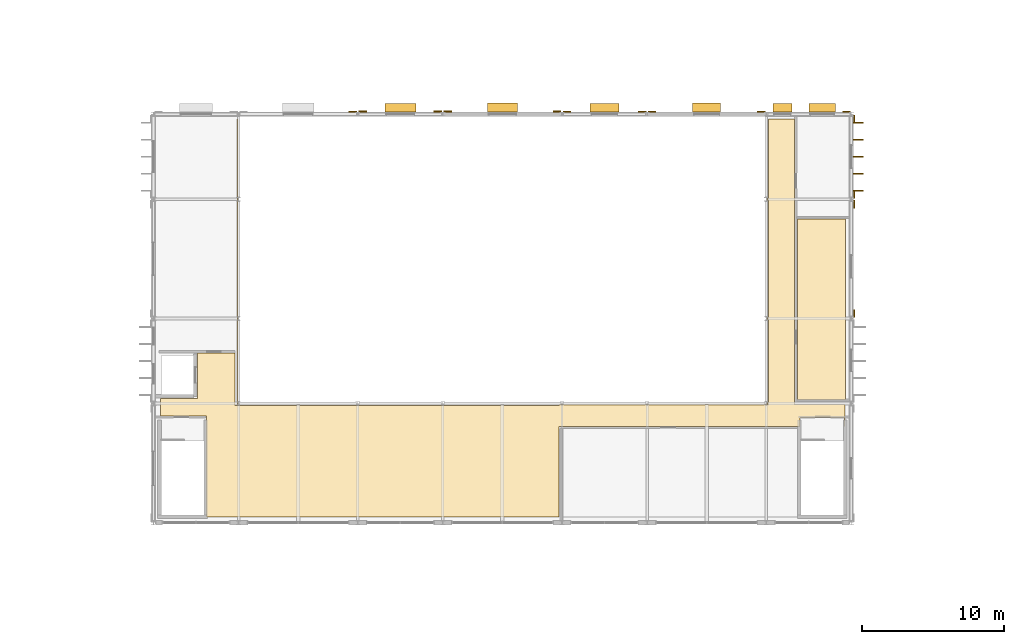
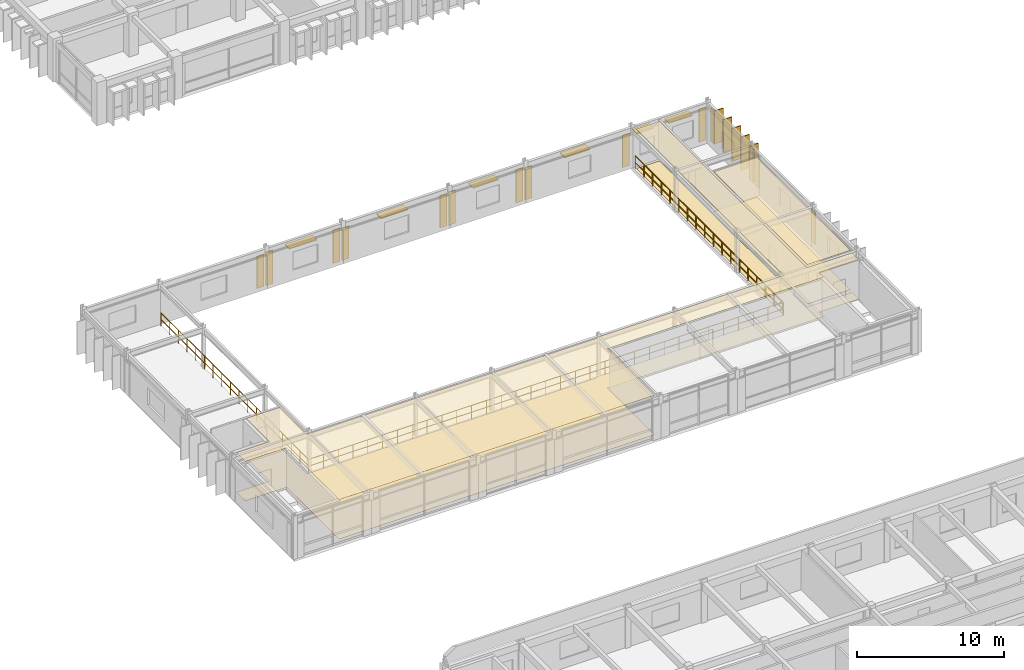
# One storey, part 81 of 88: 18 coverings, 11 shading devices, 1 railing.
"""IFC4 building model written with IfcOpenShell, lengths in metres."""

from ifc_helpers import new_model, si_unit, direction, frame, origin, origin_2d, place, context, subcontext, project, spatial, polyline, rectangle, outline, extrude, material, layer, layer_set, type_object, element, save


model = new_model("IFC4")

# Units and contexts
model_context = context("Model", 3, precision=1e-05, world=origin(), true_north=direction((0.0, 1.0)))
body_context = subcontext(model_context, "Body", "Model", "MODEL_VIEW")
ifc_project = project(units=[si_unit("LENGTHUNIT", "METRE"), si_unit("AREAUNIT", "SQUARE_METRE"), si_unit("VOLUMEUNIT", "CUBIC_METRE"), si_unit("PLANEANGLEUNIT", "RADIAN"), si_unit("MASSUNIT", "GRAM", prefix="KILO"), si_unit("THERMODYNAMICTEMPERATUREUNIT", "KELVIN")], contexts=[model_context])

# Site, building, storey
site_placement = place(None, origin())
site = spatial("IfcSite", under=ifc_project, at=site_placement, CompositionType="ELEMENT")
building_placement = place(site_placement, origin())
building = spatial("IfcBuilding", under=site, at=building_placement, Name="Thalorik Housing Commons", CompositionType="ELEMENT")
storey_placement = place(building_placement, frame((0.0, 0.0, 4.5)))
storey = spatial("IfcBuildingStorey", under=building, at=storey_placement, Name="L01", CompositionType="ELEMENT", Elevation=4.5)

# Coverings
ifc_material_1 = material(Name="Cobalt blue glazed ceramic facade tile panel", Category="masonry")
ifc_layer_1 = layer(ifc_material_1, 0.06005859375, Name="Cobalt blue glazed ceramic facade tile panel", Category="masonry")
ifc_layer_set_1 = layer_set([ifc_layer_1], Name="Cobalt blue glazed ceramic facade tile panel")
covering_type_1 = type_object("IfcCoveringType", Name="ARC-CLD-BLU-60", PredefinedType="CLADDING", material=ifc_layer_set_1)
for number, where, z_axis, x_axis, name in (
    (1, (108.85009765625, 86.58203125, 0.050048828125), (0.0, 0.0, 1.0), (-1.0, 0.0, 0.0), "L01 Architectural Facade Cladding 5173"),
    (2, (101.14990234375, 86.58203125, 0.050048828125), (0.0, 0.0, 1.0), (-1.0, 0.0, 0.0), "L01 Architectural Facade Cladding 5174"),
):
    element("IfcCovering", number, at=place(storey_placement, frame(where, z_axis=z_axis, x_axis=x_axis)), inside=storey, type_object=covering_type_1, Name=name, PredefinedType="CLADDING", context=body_context, shape_type="SweptSolid", body=[
        extrude(rectangle(XDim=0.550048828125, YDim=0.06005859375, at=origin_2d()), origin(), (0.0, 0.0, 1.0), 2.68603515625),
    ])
ifc_material_2 = material(Name="Precast concrete C40/50", Category="concrete")
ifc_layer_2 = layer(ifc_material_2, 0.074951171875, Name="Precast concrete C40/50", Category="concrete")
ifc_layer_set_2 = layer_set([ifc_layer_2], Name="Precast concrete C40/50")
covering_type_2 = type_object("IfcCoveringType", Name="ARC-CLD-PIER-75", PredefinedType="CLADDING", material=ifc_layer_set_2)
for number, where, z_axis, x_axis, name in (
    (3, (115.389404296875, 72.35009765625, 0.050048828125), (0.0, 0.0, 1.0), (0.0, 1.0, 0.0), "L01 Architectural Facade Cladding 5168"),
    (4, (115.389404296875, 80.050048828125, 0.050048828125), (0.0, 0.0, 1.0), (0.0, 1.0, 0.0), "L01 Architectural Facade Cladding 5169"),
):
    element("IfcCovering", number, at=place(storey_placement, frame(where, z_axis=z_axis, x_axis=x_axis)), inside=storey, type_object=covering_type_2, Name=name, PredefinedType="CLADDING", context=body_context, shape_type="SweptSolid", body=[
        extrude(rectangle(XDim=0.550048828125, YDim=0.074951171875, at=origin_2d()), origin(), (0.0, 0.0, 1.0), 2.68994140625),
    ])
for number, where, z_axis, x_axis, name in (
    (5, (94.449951171875, 86.589599609375, 0.050048828125), (0.0, 0.0, 1.0), (-1.0, 0.0, 0.0), "L01 Architectural Facade Cladding 5177"),
    (6, (86.75, 86.589599609375, 0.050048828125), (0.0, 0.0, 1.0), (-1.0, 0.0, 0.0), "L01 Architectural Facade Cladding 5178"),
):
    element("IfcCovering", number, at=place(storey_placement, frame(where, z_axis=z_axis, x_axis=x_axis)), inside=storey, type_object=covering_type_2, Name=name, PredefinedType="CLADDING", context=body_context, shape_type="SweptSolid", body=[
        extrude(rectangle(XDim=0.550048828125, YDim=0.074951171875, at=origin_2d()), origin(), (0.0, 0.0, 1.0), 2.68603515625),
    ])
ifc_layer_3 = layer(ifc_material_2, 0.090087890625, Name="Precast concrete C40/50", Category="concrete")
ifc_layer_set_3 = layer_set([ifc_layer_3], Name="Precast concrete C40/50")
covering_type_3 = type_object("IfcCoveringType", Name="ARC-CLD-PIER-90", PredefinedType="CLADDING", material=ifc_layer_set_3)
for number, where, z_axis, x_axis, name in (
    (7, (115.39697265625, 80.75, 0.050048828125), (0.0, 0.0, 1.0), (0.0, 1.0, 0.0), "L01 Architectural Facade Cladding 5170"),
    (8, (115.39697265625, 86.050048828125, 0.050048828125), (0.0, 0.0, 1.0), (0.0, 1.0, 0.0), "L01 Architectural Facade Cladding 5171"),
):
    element("IfcCovering", number, at=place(storey_placement, frame(where, z_axis=z_axis, x_axis=x_axis)), inside=storey, type_object=covering_type_3, Name=name, PredefinedType="CLADDING", context=body_context, shape_type="SweptSolid", body=[
        extrude(rectangle(XDim=0.550048828125, YDim=0.090087890625, at=origin_2d()), origin(), (0.0, 0.0, 1.0), 2.81201171875),
    ])
for number, where, z_axis, x_axis, name in (
    (9, (86.050048828125, 86.596923828125, 0.0498046875), (0.0, 0.0, 1.0), (-1.0, 0.0, 0.0), "L01 Architectural Facade Cladding 5179"),
    (10, (80.75, 86.596923828125, 0.0498046875), (0.0, 0.0, 1.0), (-1.0, 0.0, 0.0), "L01 Architectural Facade Cladding 5180"),
):
    element("IfcCovering", number, at=place(storey_placement, frame(where, z_axis=z_axis, x_axis=x_axis)), inside=storey, type_object=covering_type_3, Name=name, PredefinedType="CLADDING", context=body_context, shape_type="SweptSolid", body=[
        extrude(rectangle(XDim=0.550048828125, YDim=0.090087890625, at=origin_2d()), origin(), (0.0, 0.0, 1.0), 2.761962890625),
    ])
ifc_material_3 = material(Name="Terracotta red mineral fibre-cement panel", Category="masonry")
ifc_layer_4 = layer(ifc_material_3, 0.054931640625, Name="Terracotta red mineral fibre-cement panel", Category="masonry")
ifc_layer_set_4 = layer_set([ifc_layer_4], Name="Terracotta red mineral fibre-cement panel")
covering_type_4 = type_object("IfcCoveringType", Name="ARC-CLD-RED-55", PredefinedType="CLADDING", material=ifc_layer_set_4)
covering_1_placement = place(storey_placement, frame((114.85009765625, 86.57958984375, 0.0498046875), z_axis=(0.0, 0.0, 1.0), x_axis=(-1.0, 0.0, 0.0)))
element("IfcCovering", 11, at=covering_1_placement, inside=storey, type_object=covering_type_4, Name="L01 Architectural Facade Cladding 5172", PredefinedType="CLADDING", context=body_context, shape_type="SweptSolid", body=[
    extrude(rectangle(XDim=0.550048828125, YDim=0.054931640625, at=origin_2d()), origin(), (0.0, 0.0, 1.0), 2.761962890625),
])
covering_2_placement = place(storey_placement, frame((80.050048828125, 86.57958984375, 0.050048828125), z_axis=(0.0, 0.0, 1.0), x_axis=(-1.0, 0.0, 0.0)))
element("IfcCovering", 12, at=covering_2_placement, inside=storey, type_object=covering_type_4, Name="L01 Architectural Facade Cladding 5181", PredefinedType="CLADDING", context=body_context, shape_type="SweptSolid", body=[
    extrude(rectangle(XDim=0.550048828125, YDim=0.054931640625, at=origin_2d()), origin(), (0.0, 0.0, 1.0), 2.68603515625),
])
ifc_material_4 = material(Name="Mineral ochre architectural terracotta panel", Category="masonry")
ifc_layer_5 = layer(ifc_material_4, 0.06494140625, Name="Mineral ochre architectural terracotta panel", Category="masonry")
ifc_layer_set_5 = layer_set([ifc_layer_5], Name="Mineral ochre architectural terracotta panel")
covering_type_5 = type_object("IfcCoveringType", Name="ARC-CLD-YEL-65", PredefinedType="CLADDING", material=ifc_layer_set_5)
for number, where, z_axis, x_axis, name in (
    (13, (100.449951171875, 86.58447265625, 0.0498046875), (0.0, 0.0, 1.0), (-1.0, 0.0, 0.0), "L01 Architectural Facade Cladding 5175"),
    (14, (95.14990234375, 86.58447265625, 0.0498046875), (0.0, 0.0, 1.0), (-1.0, 0.0, 0.0), "L01 Architectural Facade Cladding 5176"),
):
    element("IfcCovering", number, at=place(storey_placement, frame(where, z_axis=z_axis, x_axis=x_axis)), inside=storey, type_object=covering_type_5, Name=name, PredefinedType="CLADDING", context=body_context, shape_type="SweptSolid", body=[
        extrude(rectangle(XDim=0.550048828125, YDim=0.06494140625, at=origin_2d()), origin(), (0.0, 0.0, 1.0), 2.761962890625),
    ])
ifc_material_5 = material(Name="Perforated acoustic gypsum ceiling board")
ifc_layer_6 = layer(ifc_material_5, 0.014892578125, Name="Perforated acoustic gypsum ceiling board")
ifc_layer_set_6 = layer_set([ifc_layer_6], Name="Perforated acoustic gypsum ceiling board")
covering_type_6 = type_object("IfcCoveringType", Name="ARC-COV-CEIL-01", PredefinedType="CEILING", material=ifc_layer_set_6)
covering_3_placement = place(storey_placement, frame((0.0, 0.0, 3.284912109375)))
element("IfcCovering", 15, at=covering_3_placement, inside=storey, type_object=covering_type_6, Name="L01 Community Gallery Suspended Ceiling", PredefinedType="CEILING", context=body_context, shape_type="SweptSolid", body=[
    extrude(outline(polyline([(66.5, 66.360107421875), (66.5, 65.139892578125), (69.75, 65.139892578125), (69.75, 58.0), (94.60009765625, 58.0), (94.60009765625, 64.39990234375), (111.590087890625, 64.39990234375), (111.59033203125, 64.9560546875), (111.594482421875, 64.97314453125), (111.603759765625, 64.98828125), (111.61669921875, 65.0), (111.6328125, 65.00732421875), (111.650146484375, 65.010009765625), (114.656005859375, 65.009765625), (114.673095703125, 65.00537109375), (114.688232421875, 64.996337890625), (114.699951171875, 64.983154296875), (114.70751953125, 64.96728515625), (114.7099609375, 64.949951171875), (114.7099609375, 64.39990234375), (114.75, 64.39990234375), (114.75, 65.949951171875), (111.199951171875, 65.9501953125), (111.199951171875, 86.050048828125), (109.35009765625, 86.050048828125), (109.349853515625, 65.949951171875), (94.60009765625, 65.949951171875), (94.599853515625, 65.85009765625), (71.75, 65.85009765625), (71.75, 69.550048828125), (69.10009765625, 69.550048828125), (69.10009765625, 66.360107421875), (66.5, 66.360107421875)])), origin(), (0.0, 0.0, 1.0), 0.01513671875),
])
ifc_material_6 = material(Name="Slatted timber acoustic hall baffle ceiling", Category="wood")
ifc_layer_7 = layer(ifc_material_6, 0.02197265625, Name="Slatted timber acoustic hall baffle ceiling", Category="wood")
ifc_layer_set_7 = layer_set([ifc_layer_7], Name="Slatted timber acoustic hall baffle ceiling")
covering_type_7 = type_object("IfcCoveringType", Name="ARC-COV-CEIL-03", PredefinedType="CEILING", material=ifc_layer_set_7)
covering_4_placement = place(storey_placement, frame((0.0, 0.0, 3.278076171875)))
element("IfcCovering", 16, at=covering_4_placement, inside=storey, type_object=covering_type_7, Name="L01 Ceramics and Print Workshop Suspended Ceiling", PredefinedType="CEILING", context=body_context, shape_type="SweptSolid", body=[
    extrude(outline(polyline([(114.800048828125, 66.25), (114.800048828125, 79.0), (111.39990234375, 79.0), (111.39990234375, 66.25), (114.800048828125, 66.25)])), origin(), (0.0, 0.0, 1.0), 0.02197265625),
])
ifc_material_7 = material(Name="Glazed Recife ceramic apartment floor tile")
ifc_layer_8 = layer(ifc_material_7, 0.011962890625, Name="Glazed Recife ceramic apartment floor tile")
ifc_layer_set_8 = layer_set([ifc_layer_8], Name="Glazed Recife ceramic apartment floor tile")
covering_type_8 = type_object("IfcCoveringType", Name="ARC-COV-FLR-01", PredefinedType="FLOORING", material=ifc_layer_set_8)
covering_5_placement = place(storey_placement, origin())
element("IfcCovering", 17, at=covering_5_placement, inside=storey, type_object=covering_type_8, Name="L01 Community Gallery Flooring", PredefinedType="FLOORING", context=body_context, shape_type="SweptSolid", body=[
    extrude(outline(polyline([(66.5, 66.360107421875), (66.5, 65.139892578125), (69.75, 65.139892578125), (69.75, 58.0), (94.60009765625, 58.0), (94.60009765625, 64.39990234375), (111.590087890625, 64.39990234375), (111.59033203125, 64.9560546875), (111.594482421875, 64.97314453125), (111.603759765625, 64.98828125), (111.61669921875, 65.0), (111.6328125, 65.00732421875), (111.650146484375, 65.010009765625), (114.656005859375, 65.009765625), (114.673095703125, 65.00537109375), (114.688232421875, 64.996337890625), (114.699951171875, 64.983154296875), (114.70751953125, 64.96728515625), (114.7099609375, 64.949951171875), (114.7099609375, 64.39990234375), (114.75, 64.39990234375), (114.75, 65.949951171875), (111.199951171875, 65.9501953125), (111.199951171875, 86.050048828125), (109.35009765625, 86.050048828125), (109.349853515625, 65.949951171875), (94.60009765625, 65.949951171875), (94.599853515625, 65.85009765625), (71.75, 65.85009765625), (71.75, 69.550048828125), (69.10009765625, 69.550048828125), (69.10009765625, 66.360107421875), (66.5, 66.360107421875)])), origin(), (0.0, 0.0, 1.0), 0.011962890625),
])
ifc_material_8 = material(Name="Cushioned natural linoleum nursery playroom flooring")
ifc_layer_9 = layer(ifc_material_8, 0.02001953125, Name="Cushioned natural linoleum nursery playroom flooring")
ifc_layer_set_9 = layer_set([ifc_layer_9], Name="Cushioned natural linoleum nursery playroom flooring")
covering_type_9 = type_object("IfcCoveringType", Name="ARC-COV-FLR-03", PredefinedType="FLOORING", material=ifc_layer_set_9)
covering_6_placement = place(storey_placement, origin())
element("IfcCovering", 18, at=covering_6_placement, inside=storey, type_object=covering_type_9, Name="L01 Ceramics and Print Workshop Flooring", PredefinedType="FLOORING", context=body_context, shape_type="SweptSolid", body=[
    extrude(outline(polyline([(114.800048828125, 66.25), (114.800048828125, 79.0), (111.39990234375, 79.0), (111.39990234375, 66.25), (114.800048828125, 66.25)])), origin(), (0.0, 0.0, 1.0), 0.02001953125),
])

# Shading devices
ifc_material_9 = material(Name="Cobalt blue anodised aluminium", Category="aluminium")
shading_device_type_1 = type_object("IfcShadingDeviceType", Name="ARC-FIN-BLU-700", PredefinedType="USERDEFINED", material=ifc_material_9)
for number, where, z_axis, x_axis, name in (
    (19, (115.699951171875, 81.0, 0.1201171875), (0.0, 0.0, 1.0), (0.0, 1.0, 0.0), "L01 Vertical Precast Solar Fin 57"),
    (20, (115.699951171875, 82.199951171875, 0.1201171875), (0.0, 0.0, 1.0), (0.0, 1.0, 0.0), "L01 Vertical Precast Solar Fin 58"),
    (21, (115.699951171875, 83.39990234375, 0.1201171875), (0.0, 0.0, 1.0), (0.0, 1.0, 0.0), "L01 Vertical Precast Solar Fin 59"),
    (22, (115.699951171875, 84.60009765625, 0.1201171875), (0.0, 0.0, 1.0), (0.0, 1.0, 0.0), "L01 Vertical Precast Solar Fin 60"),
    (23, (115.699951171875, 85.800048828125, 0.1201171875), (0.0, 0.0, 1.0), (0.0, 1.0, 0.0), "L01 Vertical Precast Solar Fin 61"),
):
    element("IfcShadingDevice", number, at=place(storey_placement, frame(where, z_axis=z_axis, x_axis=x_axis)), inside=storey, type_object=shading_device_type_1, Name=name, ObjectType="FIN", PredefinedType="USERDEFINED", context=body_context, shape_type="SweptSolid", body=[
        extrude(rectangle(XDim=0.074951171875, YDim=0.699951171875, at=origin_2d()), origin(), (0.0, 0.0, 1.0), 2.75),
    ])
ifc_material_10 = material(Name="Anodised aluminium sun-louvre blade", Category="aluminium")
shading_device_type_2 = type_object("IfcShadingDeviceType", Name="ARC-LVR-ALU-600", PredefinedType="JALOUSIE", material=ifc_material_10)
shading_device_1_placement = place(storey_placement, frame((113.14501953125, 86.85009765625, 2.43994140625), z_axis=(0.0, 0.0, 1.0), x_axis=(-1.0, 0.0, 0.0)))
element("IfcShadingDevice", 24, at=shading_device_1_placement, inside=storey, type_object=shading_device_type_2, Name="L01 Horizontal Sun-Louvre 62", PredefinedType="JALOUSIE", context=body_context, shape_type="SweptSolid", body=[
    extrude(rectangle(XDim=1.8798828125, YDim=0.60009765625, at=origin_2d()), origin(), (0.0, 0.0, 1.0), 0.080078125),
])
shading_device_2_placement = place(storey_placement, frame((110.3349609375, 86.85009765625, 2.43994140625), z_axis=(0.0, 0.0, 1.0), x_axis=(-1.0, 0.0, 0.0)))
element("IfcShadingDevice", 25, at=shading_device_2_placement, inside=storey, type_object=shading_device_type_2, Name="L01 Horizontal Sun-Louvre 63", PredefinedType="JALOUSIE", context=body_context, shape_type="SweptSolid", body=[
    extrude(rectangle(XDim=1.35009765625, YDim=0.60009765625, at=origin_2d()), origin(), (0.0, 0.0, 1.0), 0.080078125),
])
shading_device_3_placement = place(storey_placement, frame((97.800048828125, 86.85009765625, 2.43994140625), z_axis=(0.0, 0.0, 1.0), x_axis=(-1.0, 0.0, 0.0)))
element("IfcShadingDevice", 26, at=shading_device_3_placement, inside=storey, type_object=shading_device_type_2, Name="L01 Horizontal Sun-Louvre 65", PredefinedType="JALOUSIE", context=body_context, shape_type="SweptSolid", body=[
    extrude(rectangle(XDim=2.02001953125, YDim=0.60009765625, at=origin_2d()), origin(), (0.0, 0.0, 1.0), 0.080078125),
])
shading_device_4_placement = place(storey_placement, frame((83.39990234375, 86.85009765625, 2.43994140625), z_axis=(0.0, 0.0, 1.0), x_axis=(-1.0, 0.0, 0.0)))
element("IfcShadingDevice", 27, at=shading_device_4_placement, inside=storey, type_object=shading_device_type_2, Name="L01 Horizontal Sun-Louvre 67", PredefinedType="JALOUSIE", context=body_context, shape_type="SweptSolid", body=[
    extrude(rectangle(XDim=2.179931640625, YDim=0.60009765625, at=origin_2d()), origin(), (0.0, 0.0, 1.0), 0.080078125),
])
ifc_material_11 = material(Name="Mineral ochre aluminium sun-louvre", Category="aluminium")
shading_device_type_3 = type_object("IfcShadingDeviceType", Name="ARC-LVR-OCH-650", PredefinedType="JALOUSIE", material=ifc_material_11)
shading_device_5_placement = place(storey_placement, frame((105.0, 86.875, 2.43505859375), z_axis=(0.0, 0.0, 1.0), x_axis=(-1.0, 0.0, 0.0)))
element("IfcShadingDevice", 28, at=shading_device_5_placement, inside=storey, type_object=shading_device_type_3, Name="L01 Horizontal Sun-Louvre 64", PredefinedType="JALOUSIE", context=body_context, shape_type="SweptSolid", body=[
    extrude(rectangle(XDim=1.97998046875, YDim=0.64990234375, at=origin_2d()), origin(), (0.0, 0.0, 1.0), 0.090087890625),
])
shading_device_6_placement = place(storey_placement, frame((90.60009765625, 86.875, 2.43505859375), z_axis=(0.0, 0.0, 1.0), x_axis=(-1.0, 0.0, 0.0)))
element("IfcShadingDevice", 29, at=shading_device_6_placement, inside=storey, type_object=shading_device_type_3, Name="L01 Horizontal Sun-Louvre 66", PredefinedType="JALOUSIE", context=body_context, shape_type="SweptSolid", body=[
    extrude(rectangle(XDim=2.1201171875, YDim=0.64990234375, at=origin_2d()), origin(), (0.0, 0.0, 1.0), 0.090087890625),
])

# Railing
ifc_material_12 = material(Name="Steel S355", Category="steel")
railing_type = type_object("IfcRailingType", Name="ARC-RL-VOID-112", PredefinedType="GUARDRAIL", material=ifc_material_12)
railing_placement = place(storey_placement, frame((71.919921875, 86.050048828125, 0.0)))
element("IfcRailing", 30, at=railing_placement, inside=storey, type_object=railing_type, Name="L01 Community Hall Gallery Void Balustrade", PredefinedType="GUARDRAIL", context=body_context, shape_type="SweptSolid", body=[
    extrude(rectangle(XDim=0.048095703125, YDim=0.048095703125, at=origin_2d()), frame((0.0, 0.0, 1.09619140625), z_axis=(0.0, -1.0, 0.0), x_axis=(1.0, 0.0, 0.0)), (0.0, 0.0, 1.0), 20.130126953125),
    extrude(rectangle(XDim=0.048095703125, YDim=0.048095703125, at=origin_2d()), frame((0.0, 0.0, 0.5361328125), z_axis=(0.0, -1.0, 0.0), x_axis=(1.0, 0.0, 0.0)), (0.0, 0.0, 1.0), 20.130126953125),
    extrude(rectangle(XDim=0.048095703125, YDim=0.048095703125, at=origin_2d()), frame((0.0, -20.130126953125, 1.09619140625), z_axis=(1.0, 0.0, 0.0), x_axis=(0.0, 1.0, 0.0)), (0.0, 0.0, 1.0), 37.360107421875),
    extrude(rectangle(XDim=0.048095703125, YDim=0.048095703125, at=origin_2d()), frame((0.0, -20.130126953125, 0.5361328125), z_axis=(1.0, 0.0, 0.0), x_axis=(0.0, 1.0, 0.0)), (0.0, 0.0, 1.0), 37.360107421875),
    extrude(rectangle(XDim=0.048095703125, YDim=0.048095703125, at=origin_2d()), frame((37.360107421875, -20.130126953125, 1.09619140625), z_axis=(0.0, 1.0, 0.0), x_axis=(-1.0, 0.0, 0.0)), (0.0, 0.0, 1.0), 20.130126953125),
    extrude(rectangle(XDim=0.048095703125, YDim=0.048095703125, at=origin_2d()), frame((37.360107421875, -20.130126953125, 0.5361328125), z_axis=(0.0, 1.0, 0.0), x_axis=(-1.0, 0.0, 0.0)), (0.0, 0.0, 1.0), 20.130126953125),
    extrude(rectangle(XDim=0.0419921875, YDim=0.0419921875, at=origin_2d()), origin(), (0.0, 0.0, 1.0), 1.072021484375),
    extrude(rectangle(XDim=0.0419921875, YDim=0.0419921875, at=origin_2d()), frame((0.0, -1.18408203125, 0.0)), (0.0, 0.0, 1.0), 1.072021484375),
    extrude(rectangle(XDim=0.0419921875, YDim=0.0419921875, at=origin_2d()), frame((0.0, -2.3681640625, 0.0)), (0.0, 0.0, 1.0), 1.072021484375),
    extrude(rectangle(XDim=0.0419921875, YDim=0.0419921875, at=origin_2d()), frame((0.0, -3.552490234375, 0.0)), (0.0, 0.0, 1.0), 1.072021484375),
    extrude(rectangle(XDim=0.0419921875, YDim=0.0419921875, at=origin_2d()), frame((0.0, -4.736572265625, 0.0)), (0.0, 0.0, 1.0), 1.072021484375),
    extrude(rectangle(XDim=0.0419921875, YDim=0.0419921875, at=origin_2d()), frame((0.0, -5.920654296875, 0.0)), (0.0, 0.0, 1.0), 1.072021484375),
    extrude(rectangle(XDim=0.0419921875, YDim=0.0419921875, at=origin_2d()), frame((0.0, -7.104736328125, 0.0)), (0.0, 0.0, 1.0), 1.072021484375),
    extrude(rectangle(XDim=0.0419921875, YDim=0.0419921875, at=origin_2d()), frame((0.0, -8.288818359375, 0.0)), (0.0, 0.0, 1.0), 1.072021484375),
    extrude(rectangle(XDim=0.0419921875, YDim=0.0419921875, at=origin_2d()), frame((0.0, -9.472900390625, 0.0)), (0.0, 0.0, 1.0), 1.072021484375),
    extrude(rectangle(XDim=0.0419921875, YDim=0.0419921875, at=origin_2d()), frame((0.0, -10.6572265625, 0.0)), (0.0, 0.0, 1.0), 1.072021484375),
    extrude(rectangle(XDim=0.0419921875, YDim=0.0419921875, at=origin_2d()), frame((0.0, -11.84130859375, 0.0)), (0.0, 0.0, 1.0), 1.072021484375),
    extrude(rectangle(XDim=0.0419921875, YDim=0.0419921875, at=origin_2d()), frame((0.0, -13.025390625, 0.0)), (0.0, 0.0, 1.0), 1.072021484375),
    extrude(rectangle(XDim=0.0419921875, YDim=0.0419921875, at=origin_2d()), frame((0.0, -14.20947265625, 0.0)), (0.0, 0.0, 1.0), 1.072021484375),
    extrude(rectangle(XDim=0.0419921875, YDim=0.0419921875, at=origin_2d()), frame((0.0, -15.3935546875, 0.0)), (0.0, 0.0, 1.0), 1.072021484375),
    extrude(rectangle(XDim=0.0419921875, YDim=0.0419921875, at=origin_2d()), frame((0.0, -16.57763671875, 0.0)), (0.0, 0.0, 1.0), 1.072021484375),
    extrude(rectangle(XDim=0.0419921875, YDim=0.0419921875, at=origin_2d()), frame((0.0, -17.761962890625, 0.0)), (0.0, 0.0, 1.0), 1.072021484375),
    extrude(rectangle(XDim=0.0419921875, YDim=0.0419921875, at=origin_2d()), frame((0.0, -18.946044921875, 0.0)), (0.0, 0.0, 1.0), 1.072021484375),
    extrude(rectangle(XDim=0.0419921875, YDim=0.0419921875, at=origin_2d()), frame((0.0, -20.130126953125, 0.0)), (0.0, 0.0, 1.0), 1.072021484375),
    extrude(rectangle(XDim=0.0419921875, YDim=0.0419921875, at=origin_2d()), frame((1.16748046875, -20.130126953125, 0.0)), (0.0, 0.0, 1.0), 1.072021484375),
    extrude(rectangle(XDim=0.0419921875, YDim=0.0419921875, at=origin_2d()), frame((2.3349609375, -20.130126953125, 0.0)), (0.0, 0.0, 1.0), 1.072021484375),
    extrude(rectangle(XDim=0.0419921875, YDim=0.0419921875, at=origin_2d()), frame((3.50244140625, -20.130126953125, 0.0)), (0.0, 0.0, 1.0), 1.072021484375),
    extrude(rectangle(XDim=0.0419921875, YDim=0.0419921875, at=origin_2d()), frame((4.669921875, -20.130126953125, 0.0)), (0.0, 0.0, 1.0), 1.072021484375),
    extrude(rectangle(XDim=0.0419921875, YDim=0.0419921875, at=origin_2d()), frame((5.83740234375, -20.130126953125, 0.0)), (0.0, 0.0, 1.0), 1.072021484375),
    extrude(rectangle(XDim=0.0419921875, YDim=0.0419921875, at=origin_2d()), frame((7.005126953125, -20.130126953125, 0.0)), (0.0, 0.0, 1.0), 1.072021484375),
    extrude(rectangle(XDim=0.0419921875, YDim=0.0419921875, at=origin_2d()), frame((8.172607421875, -20.130126953125, 0.0)), (0.0, 0.0, 1.0), 1.072021484375),
    extrude(rectangle(XDim=0.0419921875, YDim=0.0419921875, at=origin_2d()), frame((9.340087890625, -20.130126953125, 0.0)), (0.0, 0.0, 1.0), 1.072021484375),
    extrude(rectangle(XDim=0.0419921875, YDim=0.0419921875, at=origin_2d()), frame((10.507568359375, -20.130126953125, 0.0)), (0.0, 0.0, 1.0), 1.072021484375),
    extrude(rectangle(XDim=0.0419921875, YDim=0.0419921875, at=origin_2d()), frame((11.675048828125, -20.130126953125, 0.0)), (0.0, 0.0, 1.0), 1.072021484375),
    extrude(rectangle(XDim=0.0419921875, YDim=0.0419921875, at=origin_2d()), frame((12.842529296875, -20.130126953125, 0.0)), (0.0, 0.0, 1.0), 1.072021484375),
    extrude(rectangle(XDim=0.0419921875, YDim=0.0419921875, at=origin_2d()), frame((14.010009765625, -20.130126953125, 0.0)), (0.0, 0.0, 1.0), 1.072021484375),
    extrude(rectangle(XDim=0.0419921875, YDim=0.0419921875, at=origin_2d()), frame((15.177490234375, -20.130126953125, 0.0)), (0.0, 0.0, 1.0), 1.072021484375),
    extrude(rectangle(XDim=0.0419921875, YDim=0.0419921875, at=origin_2d()), frame((16.344970703125, -20.130126953125, 0.0)), (0.0, 0.0, 1.0), 1.072021484375),
    extrude(rectangle(XDim=0.0419921875, YDim=0.0419921875, at=origin_2d()), frame((17.512451171875, -20.130126953125, 0.0)), (0.0, 0.0, 1.0), 1.072021484375),
    extrude(rectangle(XDim=0.0419921875, YDim=0.0419921875, at=origin_2d()), frame((18.68017578125, -20.130126953125, 0.0)), (0.0, 0.0, 1.0), 1.072021484375),
    extrude(rectangle(XDim=0.0419921875, YDim=0.0419921875, at=origin_2d()), frame((19.84765625, -20.130126953125, 0.0)), (0.0, 0.0, 1.0), 1.072021484375),
    extrude(rectangle(XDim=0.0419921875, YDim=0.0419921875, at=origin_2d()), frame((21.01513671875, -20.130126953125, 0.0)), (0.0, 0.0, 1.0), 1.072021484375),
    extrude(rectangle(XDim=0.0419921875, YDim=0.0419921875, at=origin_2d()), frame((22.1826171875, -20.130126953125, 0.0)), (0.0, 0.0, 1.0), 1.072021484375),
    extrude(rectangle(XDim=0.0419921875, YDim=0.0419921875, at=origin_2d()), frame((23.35009765625, -20.130126953125, 0.0)), (0.0, 0.0, 1.0), 1.072021484375),
    extrude(rectangle(XDim=0.0419921875, YDim=0.0419921875, at=origin_2d()), frame((24.517578125, -20.130126953125, 0.0)), (0.0, 0.0, 1.0), 1.072021484375),
    extrude(rectangle(XDim=0.0419921875, YDim=0.0419921875, at=origin_2d()), frame((25.68505859375, -20.130126953125, 0.0)), (0.0, 0.0, 1.0), 1.072021484375),
    extrude(rectangle(XDim=0.0419921875, YDim=0.0419921875, at=origin_2d()), frame((26.8525390625, -20.130126953125, 0.0)), (0.0, 0.0, 1.0), 1.072021484375),
    extrude(rectangle(XDim=0.0419921875, YDim=0.0419921875, at=origin_2d()), frame((28.02001953125, -20.130126953125, 0.0)), (0.0, 0.0, 1.0), 1.072021484375),
    extrude(rectangle(XDim=0.0419921875, YDim=0.0419921875, at=origin_2d()), frame((29.1875, -20.130126953125, 0.0)), (0.0, 0.0, 1.0), 1.072021484375),
    extrude(rectangle(XDim=0.0419921875, YDim=0.0419921875, at=origin_2d()), frame((30.35498046875, -20.130126953125, 0.0)), (0.0, 0.0, 1.0), 1.072021484375),
    extrude(rectangle(XDim=0.0419921875, YDim=0.0419921875, at=origin_2d()), frame((31.522705078125, -20.130126953125, 0.0)), (0.0, 0.0, 1.0), 1.072021484375),
    extrude(rectangle(XDim=0.0419921875, YDim=0.0419921875, at=origin_2d()), frame((32.690185546875, -20.130126953125, 0.0)), (0.0, 0.0, 1.0), 1.072021484375),
    extrude(rectangle(XDim=0.0419921875, YDim=0.0419921875, at=origin_2d()), frame((33.857666015625, -20.130126953125, 0.0)), (0.0, 0.0, 1.0), 1.072021484375),
    extrude(rectangle(XDim=0.0419921875, YDim=0.0419921875, at=origin_2d()), frame((35.025146484375, -20.130126953125, 0.0)), (0.0, 0.0, 1.0), 1.072021484375),
    extrude(rectangle(XDim=0.0419921875, YDim=0.0419921875, at=origin_2d()), frame((36.192626953125, -20.130126953125, 0.0)), (0.0, 0.0, 1.0), 1.072021484375),
    extrude(rectangle(XDim=0.0419921875, YDim=0.0419921875, at=origin_2d()), frame((37.360107421875, -20.130126953125, 0.0)), (0.0, 0.0, 1.0), 1.072021484375),
    extrude(rectangle(XDim=0.0419921875, YDim=0.0419921875, at=origin_2d()), frame((37.360107421875, -18.946044921875, 0.0)), (0.0, 0.0, 1.0), 1.072021484375),
    extrude(rectangle(XDim=0.0419921875, YDim=0.0419921875, at=origin_2d()), frame((37.360107421875, -17.761962890625, 0.0)), (0.0, 0.0, 1.0), 1.072021484375),
    extrude(rectangle(XDim=0.0419921875, YDim=0.0419921875, at=origin_2d()), frame((37.360107421875, -16.57763671875, 0.0)), (0.0, 0.0, 1.0), 1.072021484375),
    extrude(rectangle(XDim=0.0419921875, YDim=0.0419921875, at=origin_2d()), frame((37.360107421875, -15.3935546875, 0.0)), (0.0, 0.0, 1.0), 1.072021484375),
    extrude(rectangle(XDim=0.0419921875, YDim=0.0419921875, at=origin_2d()), frame((37.360107421875, -14.20947265625, 0.0)), (0.0, 0.0, 1.0), 1.072021484375),
    extrude(rectangle(XDim=0.0419921875, YDim=0.0419921875, at=origin_2d()), frame((37.360107421875, -13.025390625, 0.0)), (0.0, 0.0, 1.0), 1.072021484375),
    extrude(rectangle(XDim=0.0419921875, YDim=0.0419921875, at=origin_2d()), frame((37.360107421875, -11.84130859375, 0.0)), (0.0, 0.0, 1.0), 1.072021484375),
    extrude(rectangle(XDim=0.0419921875, YDim=0.0419921875, at=origin_2d()), frame((37.360107421875, -10.6572265625, 0.0)), (0.0, 0.0, 1.0), 1.072021484375),
    extrude(rectangle(XDim=0.0419921875, YDim=0.0419921875, at=origin_2d()), frame((37.360107421875, -9.472900390625, 0.0)), (0.0, 0.0, 1.0), 1.072021484375),
    extrude(rectangle(XDim=0.0419921875, YDim=0.0419921875, at=origin_2d()), frame((37.360107421875, -8.288818359375, 0.0)), (0.0, 0.0, 1.0), 1.072021484375),
    extrude(rectangle(XDim=0.0419921875, YDim=0.0419921875, at=origin_2d()), frame((37.360107421875, -7.104736328125, 0.0)), (0.0, 0.0, 1.0), 1.072021484375),
    extrude(rectangle(XDim=0.0419921875, YDim=0.0419921875, at=origin_2d()), frame((37.360107421875, -5.920654296875, 0.0)), (0.0, 0.0, 1.0), 1.072021484375),
    extrude(rectangle(XDim=0.0419921875, YDim=0.0419921875, at=origin_2d()), frame((37.360107421875, -4.736572265625, 0.0)), (0.0, 0.0, 1.0), 1.072021484375),
    extrude(rectangle(XDim=0.0419921875, YDim=0.0419921875, at=origin_2d()), frame((37.360107421875, -3.552490234375, 0.0)), (0.0, 0.0, 1.0), 1.072021484375),
    extrude(rectangle(XDim=0.0419921875, YDim=0.0419921875, at=origin_2d()), frame((37.360107421875, -2.3681640625, 0.0)), (0.0, 0.0, 1.0), 1.072021484375),
    extrude(rectangle(XDim=0.0419921875, YDim=0.0419921875, at=origin_2d()), frame((37.360107421875, -1.18408203125, 0.0)), (0.0, 0.0, 1.0), 1.072021484375),
    extrude(rectangle(XDim=0.0419921875, YDim=0.0419921875, at=origin_2d()), frame((37.360107421875, 0.0, 0.0)), (0.0, 0.0, 1.0), 1.072021484375),
])

save(model, "model.ifc")
